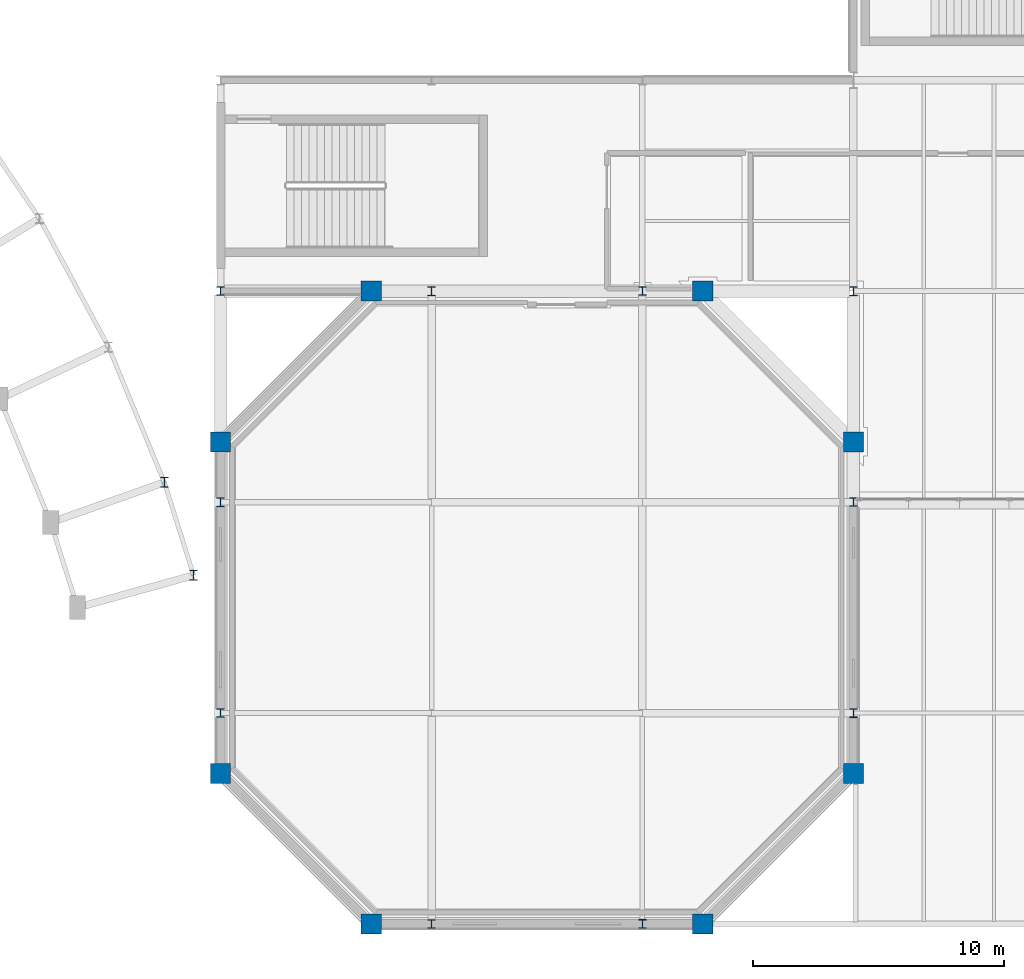
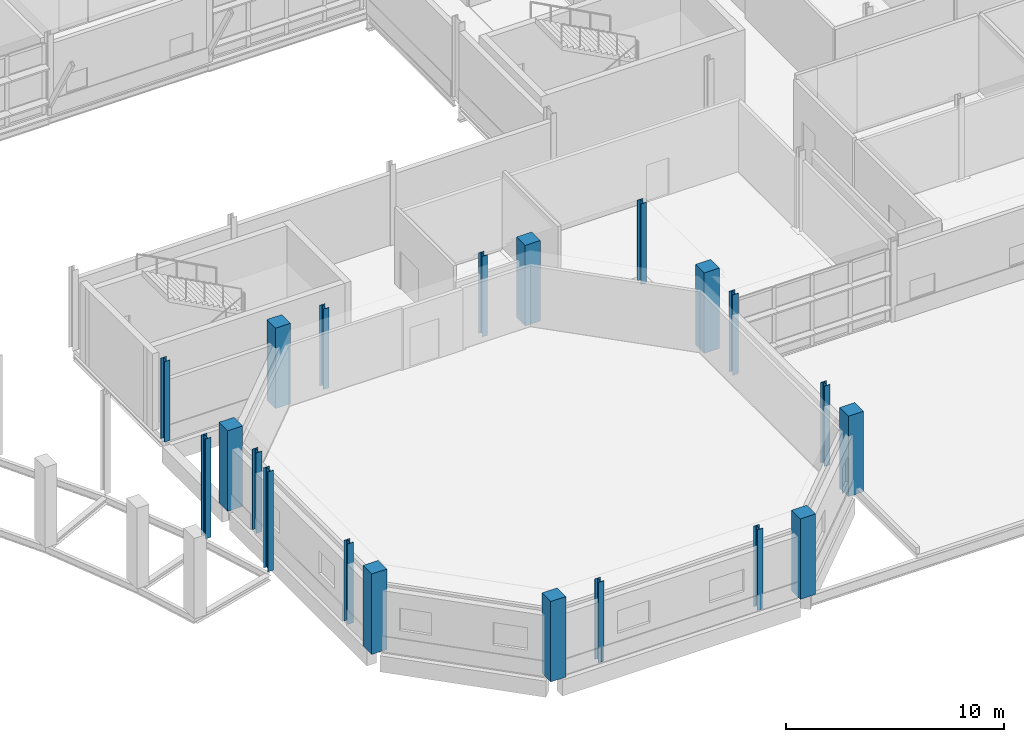
# One storey, part 4 of 129: 20 columns.
"""IFC4 building model written with IfcOpenShell, lengths in metres."""

from ifc_helpers import new_model, si_unit, direction, frame, origin, origin_2d, place, context, subcontext, project, spatial, rectangle, i_section, extrude, material, material_profile, profile_set, type_object, element, save


model = new_model("IFC4")

# Units and contexts
model_context = context("Model", 3, precision=1e-05, world=origin(), true_north=direction((0.0, 1.0)))
body_context = subcontext(model_context, "Body", "Model", "MODEL_VIEW")
ifc_project = project(units=[si_unit("LENGTHUNIT", "METRE"), si_unit("AREAUNIT", "SQUARE_METRE"), si_unit("VOLUMEUNIT", "CUBIC_METRE"), si_unit("PLANEANGLEUNIT", "RADIAN"), si_unit("MASSUNIT", "GRAM", prefix="KILO")], contexts=[model_context])

# Site, building, storey
site_placement = place(None, origin())
site = spatial("IfcSite", under=ifc_project, at=site_placement, CompositionType="ELEMENT")
building_placement = place(site_placement, origin())
building = spatial("IfcBuilding", under=site, at=building_placement, Name="Mersafa Astral City Hall", CompositionType="ELEMENT")
storey_placement = place(building_placement, frame((0.0, 0.0, 5.39990234375)))
storey = spatial("IfcBuildingStorey", under=building, at=storey_placement, Name="L01", CompositionType="ELEMENT", Elevation=5.39990234375)

# Columns
ifc_material_1 = material(Name="Steel S355", Category="steel")
ifc_material_profile_1 = material_profile(ifc_material_1, i_section(OverallWidth=0.300048828125, OverallDepth=0.340087890625, WebThickness=0.011962890625, FlangeThickness=0.021484375, FilletRadius=0.027099609375, at=origin_2d()), Name="HEB 340")
ifc_profile_set_1 = profile_set([ifc_material_profile_1], Name="Steel S355")
column_type_1 = type_object("IfcColumnType", Name="STR-COL-HEB340", PredefinedType="COLUMN", material=ifc_profile_set_1)
for number, where, z_axis, x_axis, name in (
    (1, (67.199951171875, 8.39990234375, 0.0), (0.0, 0.0, 1.0), (1.0, 0.0, 0.0), "L01 Structural column G-08-01"),
    (2, (67.199951171875, 25.199951171875, 0.0), (0.0, 0.0, 1.0), (1.0, 0.0, 0.0), "L01 Structural column G-08-03"),
    (3, (75.60009765625, 0.0, 0.0), (0.0, 0.0, 1.0), (1.0, 0.0, 0.0), "L01 Structural column G-09-00"),
    (4, (84.0, 25.199951171875, 0.0), (0.0, 0.0, 1.0), (1.0, 0.0, 0.0), "L01 Structural column G-10-03"),
    (5, (92.39990234375, 16.800048828125, 0.0), (0.0, 0.0, 1.0), (1.0, 0.0, 0.0), "L01 Structural column G-11-02"),
):
    element("IfcColumn", number, at=place(storey_placement, frame(where, z_axis=z_axis, x_axis=x_axis)), inside=storey, type_object=column_type_1, Name=name, PredefinedType="COLUMN", context=body_context, shape_type="SweptSolid", body=[
        extrude(i_section(OverallWidth=0.300048828125, OverallDepth=0.340087890625, WebThickness=0.011962890625, FlangeThickness=0.021484375, FilletRadius=0.027099609375, at=origin_2d()), origin(), (0.0, 0.0, 1.0), 4.5),
    ])
ifc_material_profile_2 = material_profile(ifc_material_1, i_section(OverallWidth=0.300048828125, OverallDepth=0.360107421875, WebThickness=0.012451171875, FlangeThickness=0.0224609375, FilletRadius=0.027099609375, at=origin_2d()), Name="HEB 360")
ifc_profile_set_2 = profile_set([ifc_material_profile_2], Name="Steel S355")
column_type_2 = type_object("IfcColumnType", Name="STR-COL-HEB360", PredefinedType="COLUMN", material=ifc_profile_set_2)
for number, where, z_axis, x_axis, name in (
    (6, (67.199951171875, 16.800048828125, 0.0), (0.0, 0.0, 1.0), (1.0, 0.0, 0.0), "L01 Structural column G-08-02"),
    (7, (75.60009765625, 25.199951171875, 0.0), (0.0, 0.0, 1.0), (1.0, 0.0, 0.0), "L01 Structural column G-09-03"),
    (8, (84.0, 0.0, 0.0), (0.0, 0.0, 1.0), (1.0, 0.0, 0.0), "L01 Structural column G-10-00"),
    (9, (92.39990234375, 8.39990234375, 0.0), (0.0, 0.0, 1.0), (1.0, 0.0, 0.0), "L01 Structural column G-11-01"),
    (10, (92.39990234375, 25.199951171875, 0.0), (0.0, 0.0, 1.0), (1.0, 0.0, 0.0), "L01 Structural column G-11-03"),
):
    element("IfcColumn", number, at=place(storey_placement, frame(where, z_axis=z_axis, x_axis=x_axis)), inside=storey, type_object=column_type_2, Name=name, PredefinedType="COLUMN", context=body_context, shape_type="SweptSolid", body=[
        extrude(i_section(OverallWidth=0.300048828125, OverallDepth=0.360107421875, WebThickness=0.012451171875, FlangeThickness=0.0224609375, FilletRadius=0.027099609375, at=origin_2d()), origin(), (0.0, 0.0, 1.0), 4.5),
    ])
ifc_material_profile_3 = material_profile(ifc_material_1, i_section(OverallWidth=0.300048828125, OverallDepth=0.39990234375, WebThickness=0.013427734375, FlangeThickness=0.02392578125, FilletRadius=0.027099609375, at=origin_2d()), Name="HEB 400")
ifc_profile_set_3 = profile_set([ifc_material_profile_3], Name="Steel S355")
column_type_3 = type_object("IfcColumnType", Name="STR-COL-HEB400", PredefinedType="COLUMN", material=ifc_profile_set_3)
for number, where, z_axis, x_axis, name in (
    (11, (64.958984375, 17.585693359375, 0.0), (0.0, 0.0, 1.0), (1.0, 0.0, 0.0), "L01 Shaded Front Arcade inner column ARCI-12"),
    (12, (66.125, 13.884765625, 0.0), (0.0, 0.0, 1.0), (1.0, 0.0, 0.0), "L01 Shaded Front Arcade inner column ARCI-13"),
):
    element("IfcColumn", number, at=place(storey_placement, frame(where, z_axis=z_axis, x_axis=x_axis)), inside=storey, type_object=column_type_3, Name=name, PredefinedType="COLUMN", context=body_context, shape_type="SweptSolid", body=[
        extrude(i_section(OverallWidth=0.300048828125, OverallDepth=0.39990234375, WebThickness=0.013427734375, FlangeThickness=0.02392578125, FilletRadius=0.027099609375, at=origin_2d()), origin(), (0.0, 0.0, 1.0), 5.590087890625),
    ])
ifc_material_2 = material(Name="Concrete C40/50", Category="concrete")
ifc_material_profile_4 = material_profile(ifc_material_2, rectangle(XDim=0.800048828125, YDim=0.800048828125, at=origin_2d()), Name="RC 800x800")
ifc_profile_set_4 = profile_set([ifc_material_profile_4], Name="Concrete C40/50")
column_type_4 = type_object("IfcColumnType", Name="STR-COL-RC800", PredefinedType="COLUMN", material=ifc_profile_set_4)
for number, where, z_axis, x_axis, name in (
    (13, (73.199951171875, 0.0, 0.0), (0.0, 0.0, 1.0), (1.0, 0.0, 0.0), "L01 Chamber perimeter column OCT-1"),
    (14, (86.39990234375, 0.0, 0.0), (0.0, 0.0, 1.0), (1.0, 0.0, 0.0), "L01 Chamber perimeter column OCT-2"),
    (15, (92.39990234375, 6.0, 0.0), (0.0, 0.0, 1.0), (1.0, 0.0, 0.0), "L01 Chamber perimeter column OCT-3"),
    (16, (92.39990234375, 19.199951171875, 0.0), (0.0, 0.0, 1.0), (1.0, 0.0, 0.0), "L01 Chamber perimeter column OCT-4"),
    (17, (86.39990234375, 25.199951171875, 0.0), (0.0, 0.0, 1.0), (1.0, 0.0, 0.0), "L01 Chamber perimeter column OCT-5"),
    (18, (73.199951171875, 25.199951171875, 0.0), (0.0, 0.0, 1.0), (1.0, 0.0, 0.0), "L01 Chamber perimeter column OCT-6"),
    (19, (67.199951171875, 19.199951171875, 0.0), (0.0, 0.0, 1.0), (1.0, 0.0, 0.0), "L01 Chamber perimeter column OCT-7"),
    (20, (67.199951171875, 6.0, 0.0), (0.0, 0.0, 1.0), (1.0, 0.0, 0.0), "L01 Chamber perimeter column OCT-8"),
):
    element("IfcColumn", number, at=place(storey_placement, frame(where, z_axis=z_axis, x_axis=x_axis)), inside=storey, type_object=column_type_4, Name=name, PredefinedType="COLUMN", context=body_context, shape_type="SweptSolid", body=[
        extrude(rectangle(XDim=0.800048828125, YDim=0.800048828125, at=origin_2d()), origin(), (0.0, 0.0, 1.0), 4.5),
    ])

save(model, "model.ifc")
